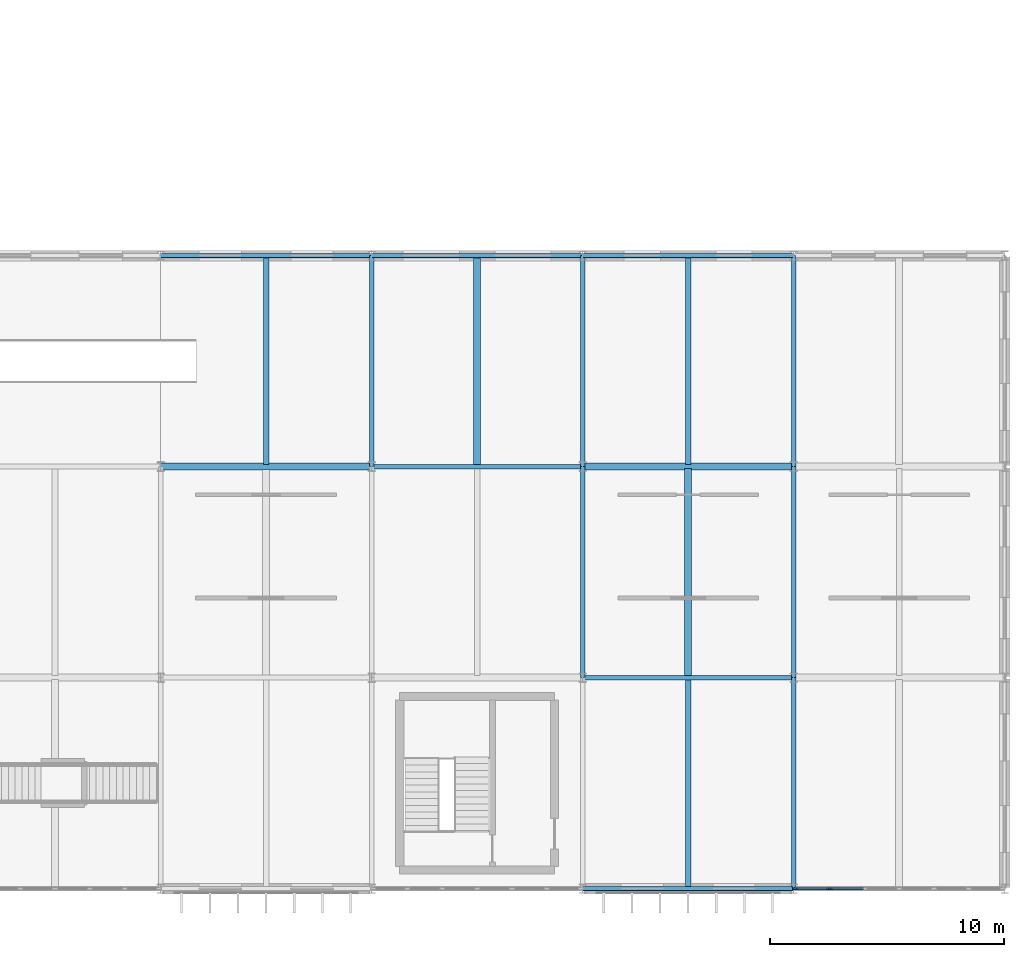
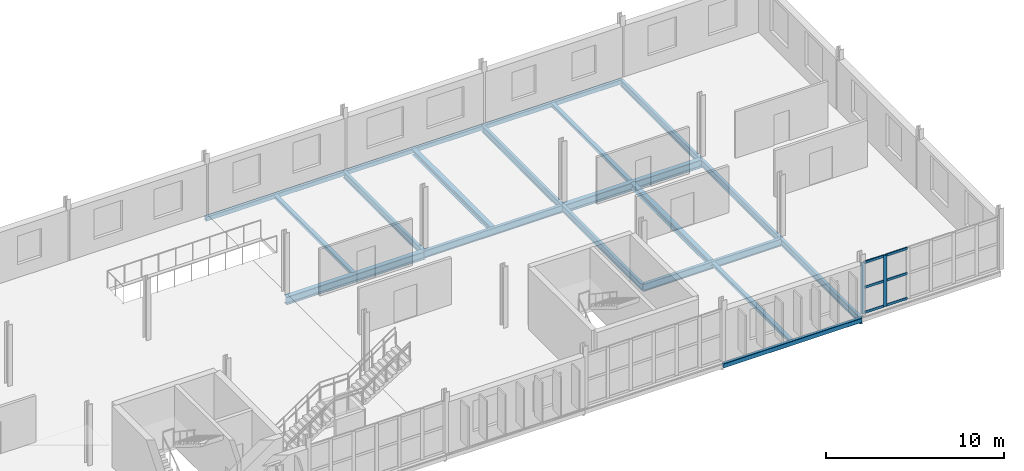
# One storey, part 72 of 161: 19 beams, 8 members, 1 element without a shape of its own.
"""IFC4 building model written with IfcOpenShell, lengths in metres."""

from ifc_helpers import new_model, si_unit, direction, frame, origin, origin_2d, place, context, subcontext, project, spatial, rectangle, hollow_rectangle, i_section, extrude, material, material_profile, profile_set, type_object, element, aggregate, save


model = new_model("IFC4")

# Units and contexts
model_context = context("Model", 3, precision=1e-05, world=origin(), true_north=direction((0.0, 1.0)))
body_context = subcontext(model_context, "Body", "Model", "MODEL_VIEW")
ifc_project = project(units=[si_unit("LENGTHUNIT", "METRE"), si_unit("AREAUNIT", "SQUARE_METRE"), si_unit("VOLUMEUNIT", "CUBIC_METRE"), si_unit("PLANEANGLEUNIT", "RADIAN"), si_unit("MASSUNIT", "GRAM", prefix="KILO")], contexts=[model_context])

# Site, building, storey
site_placement = place(None, origin())
site = spatial("IfcSite", under=ifc_project, at=site_placement, CompositionType="ELEMENT")
building_placement = place(site_placement, origin())
building = spatial("IfcBuilding", under=site, at=building_placement, Name="Kildeholm Park Wholesale Market", CompositionType="ELEMENT")
storey_placement = place(building_placement, frame((0.0, 0.0, 5.39990234375)))
storey = spatial("IfcBuildingStorey", under=building, at=storey_placement, Name="L01", CompositionType="ELEMENT", Elevation=5.39990234375)

# Beams
ifc_material_1 = material(Name="Steel S355", Category="steel")
ifc_material_profile_1 = material_profile(ifc_material_1, i_section(OverallWidth=0.18994140625, OverallDepth=0.449951171875, WebThickness=0.009521484375, FlangeThickness=0.0146484375, FilletRadius=0.02099609375, at=origin_2d()), Name="IPE 450")
ifc_profile_set_1 = profile_set([ifc_material_profile_1], Name="Steel S355")
beam_type_1 = type_object("IfcBeamType", Name="Beam B-P02 IPE 450", PredefinedType="BEAM", material=ifc_profile_set_1)
for number, where, z_axis, x_axis, name in (
    (1, (171.0, 18.0, -0.46484375), (0.0, 1.0, 0.0), (-1.0, 0.0, 0.0), "Beam BM-V5E-L01-Y-171-018 BM-1575"),
    (2, (180.0, 9.0, -0.46484375), (0.0, 1.0, 0.0), (-1.0, 0.0, 0.0), "Beam BM-V5E-L01-Y-180-009 BM-1582"),
    (3, (180.0, 18.0, -0.46484375), (0.0, 1.0, 0.0), (-1.0, 0.0, 0.0), "Beam BM-V5E-L01-Y-180-018 BM-1585"),
    (4, (189.0, 0.0, -0.46484375), (0.0, 1.0, 0.0), (-1.0, 0.0, 0.0), "Beam BM-V5E-L01-Y-189-000 BM-1589"),
    (5, (189.0, 9.0, -0.46484375), (0.0, 1.0, 0.0), (-1.0, 0.0, 0.0), "Beam BM-V5E-L01-Y-189-009 BM-1592"),
    (6, (189.0, 18.0, -0.46484375), (0.0, 1.0, 0.0), (-1.0, 0.0, 0.0), "Beam BM-V5E-L01-Y-189-018 BM-1595"),
):
    element("IfcBeam", number, at=place(storey_placement, frame(where, z_axis=z_axis, x_axis=x_axis)), inside=storey, type_object=beam_type_1, Name=name, PredefinedType="BEAM", context=body_context, shape_type="SweptSolid", body=[
        extrude(i_section(OverallWidth=0.18994140625, OverallDepth=0.449951171875, WebThickness=0.009521484375, FlangeThickness=0.0146484375, FilletRadius=0.02099609375, at=origin_2d()), origin(), (0.0, 0.0, 1.0), 9.0),
    ])
ifc_material_profile_2 = material_profile(ifc_material_1, i_section(OverallWidth=0.199951171875, OverallDepth=0.5, WebThickness=0.01025390625, FlangeThickness=0.01611328125, FilletRadius=0.02099609375, at=origin_2d()), Name="IPE 500")
ifc_profile_set_2 = profile_set([ifc_material_profile_2], Name="Steel S355")
beam_type_2 = type_object("IfcBeamType", Name="Beam B-P03 IPE 500", PredefinedType="BEAM", material=ifc_profile_set_2)
for number, where, z_axis, x_axis, name in (
    (7, (171.0, 18.0, -0.489990234375), (1.0, 0.0, 0.0), (0.0, 1.0, 0.0), "Beam BM-V5E-L01-X-171-018 BM-1574"),
    (8, (180.0, 9.0, -0.489990234375), (1.0, 0.0, 0.0), (0.0, 1.0, 0.0), "Beam BM-V5E-L01-X-180-009 BM-1581"),
):
    element("IfcBeam", number, at=place(storey_placement, frame(where, z_axis=z_axis, x_axis=x_axis)), inside=storey, type_object=beam_type_2, Name=name, PredefinedType="BEAM", context=body_context, shape_type="SweptSolid", body=[
        extrude(i_section(OverallWidth=0.199951171875, OverallDepth=0.5, WebThickness=0.01025390625, FlangeThickness=0.01611328125, FilletRadius=0.02099609375, at=origin_2d()), origin(), (0.0, 0.0, 1.0), 9.0),
    ])
ifc_material_profile_3 = material_profile(ifc_material_1, i_section(OverallWidth=0.300048828125, OverallDepth=0.5400390625, WebThickness=0.012451171875, FlangeThickness=0.02392578125, FilletRadius=0.027099609375, at=origin_2d()), Name="HEA 550")
ifc_profile_set_3 = profile_set([ifc_material_profile_3], Name="Steel S355")
beam_type_3 = type_object("IfcBeamType", Name="Beam B-X02 HEA 550", PredefinedType="BEAM", material=ifc_profile_set_3)
beam_1_placement = place(storey_placement, frame((162.0, 18.0, -0.510009765625), z_axis=(1.0, 0.0, 0.0), x_axis=(0.0, 1.0, 0.0)))
element("IfcBeam", 9, at=beam_1_placement, inside=storey, type_object=beam_type_3, Name="Beam BM-V5E-L01-X-162-018 BM-1566", PredefinedType="BEAM", context=body_context, shape_type="SweptSolid", body=[
    extrude(i_section(OverallWidth=0.300048828125, OverallDepth=0.5400390625, WebThickness=0.012451171875, FlangeThickness=0.02392578125, FilletRadius=0.027099609375, at=origin_2d()), origin(), (0.0, 0.0, 1.0), 9.0),
])
ifc_material_profile_4 = material_profile(ifc_material_1, i_section(OverallWidth=0.300048828125, OverallDepth=0.550048828125, WebThickness=0.014892578125, FlangeThickness=0.029052734375, FilletRadius=0.027099609375, at=origin_2d()), Name="HEB 550")
ifc_profile_set_4 = profile_set([ifc_material_profile_4], Name="Steel S355")
beam_type_4 = type_object("IfcBeamType", Name="Beam B-X03 HEB 550", PredefinedType="BEAM", material=ifc_profile_set_4)
beam_2_placement = place(storey_placement, frame((180.0, 18.0, -0.514892578125), z_axis=(1.0, 0.0, 0.0), x_axis=(0.0, 1.0, 0.0)))
element("IfcBeam", 10, at=beam_2_placement, inside=storey, type_object=beam_type_4, Name="Beam BM-V5E-L01-X-180-018 BM-1584", PredefinedType="BEAM", context=body_context, shape_type="SweptSolid", body=[
    extrude(i_section(OverallWidth=0.300048828125, OverallDepth=0.550048828125, WebThickness=0.014892578125, FlangeThickness=0.029052734375, FilletRadius=0.027099609375, at=origin_2d()), origin(), (0.0, 0.0, 1.0), 9.0),
])
ifc_material_profile_5 = material_profile(ifc_material_1, i_section(OverallWidth=0.239990234375, OverallDepth=0.22998046875, WebThickness=0.007568359375, FlangeThickness=0.011962890625, FilletRadius=0.02099609375, at=origin_2d()), Name="HEA 240")
ifc_profile_set_5 = profile_set([ifc_material_profile_5], Name="Steel S355")
beam_type_5 = type_object("IfcBeamType", Name="Beam J-05 HEA 240", PredefinedType="JOIST", material=ifc_profile_set_5)
for number, where, z_axis, x_axis, name in (
    (11, (166.5, 18.0849609375, -0.35498046875), (0.0, 1.0, 0.0), (-1.0, 0.0, 0.0), "Beam JT-V5E-L01-162-018 BM-1567"),
    (12, (184.5, 0.0849609375, -0.35498046875), (0.0, 1.0, 0.0), (-1.0, 0.0, 0.0), "Beam JT-V5E-L01-180-000 BM-1580"),
    (13, (184.5, 18.0849609375, -0.35498046875), (0.0, 1.0, 0.0), (-1.0, 0.0, 0.0), "Beam JT-V5E-L01-180-018 BM-1586"),
):
    element("IfcBeam", number, at=place(storey_placement, frame(where, z_axis=z_axis, x_axis=x_axis)), inside=storey, type_object=beam_type_5, Name=name, PredefinedType="JOIST", context=body_context, shape_type="SweptSolid", body=[
        extrude(i_section(OverallWidth=0.239990234375, OverallDepth=0.22998046875, WebThickness=0.007568359375, FlangeThickness=0.011962890625, FilletRadius=0.02099609375, at=origin_2d()), origin(), (0.0, 0.0, 1.0), 8.830078125),
    ])
ifc_material_profile_6 = material_profile(ifc_material_1, i_section(OverallWidth=0.300048828125, OverallDepth=0.389892578125, WebThickness=0.010986328125, FlangeThickness=0.01904296875, FilletRadius=0.027099609375, at=origin_2d()), Name="HEA 400")
ifc_profile_set_6 = profile_set([ifc_material_profile_6], Name="Steel S355")
beam_type_6 = type_object("IfcBeamType", Name="Beam J-06 HEA 400", PredefinedType="JOIST", material=ifc_profile_set_6)
for number, where, z_axis, x_axis, name in (
    (14, (175.5, 18.0849609375, -0.434814453125), (0.0, 1.0, 0.0), (-1.0, 0.0, 0.0), "Beam JT-V5E-L01-171-018 BM-1576"),
    (15, (184.5, 9.0849609375, -0.434814453125), (0.0, 1.0, 0.0), (-1.0, 0.0, 0.0), "Beam JT-V5E-L01-180-009 BM-1583"),
):
    element("IfcBeam", number, at=place(storey_placement, frame(where, z_axis=z_axis, x_axis=x_axis)), inside=storey, type_object=beam_type_6, Name=name, PredefinedType="JOIST", context=body_context, shape_type="SweptSolid", body=[
        extrude(i_section(OverallWidth=0.300048828125, OverallDepth=0.389892578125, WebThickness=0.010986328125, FlangeThickness=0.01904296875, FilletRadius=0.027099609375, at=origin_2d()), origin(), (0.0, 0.0, 1.0), 8.830078125),
    ])
ifc_material_profile_7 = material_profile(ifc_material_1, hollow_rectangle(XDim=0.199951171875, YDim=0.300048828125, WallThickness=0.012451171875, InnerFilletRadius=0.012451171875, OuterFilletRadius=0.02490234375, at=origin_2d()), Name="RHS 300x200x12.5")
ifc_profile_set_7 = profile_set([ifc_material_profile_7], Name="Steel S355")
beam_type_7 = type_object("IfcBeamType", Name="Beam SP-01 RHS 300x200x12.5", PredefinedType="SPANDREL", material=ifc_profile_set_7)
for number, where, z_axis, x_axis, name in (
    (16, (162.0, 27.0, -0.389892578125), (1.0, 0.0, 0.0), (0.0, 1.0, 0.0), "Beam BM-V5E-L01-X-162-027 BM-1568"),
    (17, (171.0, 27.0, -0.389892578125), (1.0, 0.0, 0.0), (0.0, 1.0, 0.0), "Beam BM-V5E-L01-X-171-027 BM-1577"),
    (18, (180.0, 0.0, -0.389892578125), (1.0, 0.0, 0.0), (0.0, 1.0, 0.0), "Beam BM-V5E-L01-X-180-000 BM-1578"),
    (19, (180.0, 27.0, -0.389892578125), (1.0, 0.0, 0.0), (0.0, 1.0, 0.0), "Beam BM-V5E-L01-X-180-027 BM-1587"),
):
    element("IfcBeam", number, at=place(storey_placement, frame(where, z_axis=z_axis, x_axis=x_axis)), inside=storey, type_object=beam_type_7, Name=name, PredefinedType="SPANDREL", context=body_context, shape_type="SweptSolid", body=[
        extrude(hollow_rectangle(XDim=0.199951171875, YDim=0.300048828125, WallThickness=0.012451171875, InnerFilletRadius=0.012451171875, OuterFilletRadius=0.02490234375, at=origin_2d()), origin(), (0.0, 0.0, 1.0), 9.0),
    ])

# Curtain wall, members
ifc_material_2 = material(Name="Anodised aluminium and low-E double-glazed glass", Category="aluminium")
curtain_wall_type = type_object("IfcCurtainWallType", Name="Park wing thermally broken curtain wall CW-03", PredefinedType="NOTDEFINED", material=ifc_material_2)
curtain_wall_placement = place(storey_placement, origin())
curtain_wall = element("IfcCurtainWall", 20, at=curtain_wall_placement, inside=storey, type_object=curtain_wall_type, Name="Curtain wall CW-V5E-L01-S-08 CW-0154", PredefinedType="NOTDEFINED")
ifc_material_3 = material(Name="Anodised aluminium", Category="aluminium")
ifc_material_profile_8 = material_profile(ifc_material_3, rectangle(XDim=0.074951171875, YDim=0.219970703125, at=origin_2d()), Name="CWM 75x220")
ifc_profile_set_8 = profile_set([ifc_material_profile_8], Name="Anodised aluminium")
member_type_1 = type_object("IfcMemberType", Name="Curtain-wall mullion CWM-2 CWM 75x220", PredefinedType="MULLION", material=ifc_profile_set_8)
member_1_placement = place(storey_placement, frame((189.077392578125, 0.0, 0.0), z_axis=(0.0, 0.0, 1.0), x_axis=(0.0, 1.0, 0.0)))
member_1 = element("IfcMember", 21, at=member_1_placement, type_object=member_type_1, Name="CW-03 mullion 1 MEM-4715", PredefinedType="MULLION", context=body_context, shape_type="SweptSolid", body=[
    extrude(rectangle(XDim=0.074951171875, YDim=0.219970703125, at=origin_2d()), origin(), (0.0, 0.0, 1.0), 3.5),
])
member_2_placement = place(storey_placement, frame((190.526611328125, 0.0, 0.0), z_axis=(0.0, 0.0, 1.0), x_axis=(0.0, 1.0, 0.0)))
member_2 = element("IfcMember", 22, at=member_2_placement, type_object=member_type_1, Name="CW-03 mullion 2 MEM-4716", PredefinedType="MULLION", context=body_context, shape_type="SweptSolid", body=[
    extrude(rectangle(XDim=0.074951171875, YDim=0.219970703125, at=origin_2d()), origin(), (0.0, 0.0, 1.0), 3.5),
])
ifc_material_profile_9 = material_profile(ifc_material_3, rectangle(XDim=0.074951171875, YDim=0.159912109375, at=origin_2d()), Name="CWT 75x160")
ifc_profile_set_9 = profile_set([ifc_material_profile_9], Name="Anodised aluminium")
member_type_2 = type_object("IfcMemberType", Name="Curtain-wall transom CWT-2 CWT 75x160", PredefinedType="USERDEFINED", material=ifc_profile_set_9)
member_3_placement = place(storey_placement, frame((189.114990234375, 0.0, 0.03759765625), z_axis=(1.0, 0.0, 0.0), x_axis=(0.0, 1.0, 0.0)))
member_3 = element("IfcMember", 23, at=member_3_placement, type_object=member_type_2, Name="CW-03 transom 1.1 MEM-4722", ObjectType="TRANSOM", PredefinedType="USERDEFINED", context=body_context, shape_type="SweptSolid", body=[
    extrude(rectangle(XDim=0.074951171875, YDim=0.159912109375, at=origin_2d()), origin(), (0.0, 0.0, 1.0), 1.374267578125),
])
member_4_placement = place(storey_placement, frame((189.114990234375, 0.0, 1.75), z_axis=(1.0, 0.0, 0.0), x_axis=(0.0, 1.0, 0.0)))
member_4 = element("IfcMember", 24, at=member_4_placement, type_object=member_type_2, Name="CW-03 transom 1.2 MEM-4723", ObjectType="TRANSOM", PredefinedType="USERDEFINED", context=body_context, shape_type="SweptSolid", body=[
    extrude(rectangle(XDim=0.074951171875, YDim=0.159912109375, at=origin_2d()), origin(), (0.0, 0.0, 1.0), 1.374267578125),
])
member_5_placement = place(storey_placement, frame((189.114990234375, 0.0, 3.462646484375), z_axis=(1.0, 0.0, 0.0), x_axis=(0.0, 1.0, 0.0)))
member_5 = element("IfcMember", 25, at=member_5_placement, type_object=member_type_2, Name="CW-03 transom 1.3 MEM-4724", ObjectType="TRANSOM", PredefinedType="USERDEFINED", context=body_context, shape_type="SweptSolid", body=[
    extrude(rectangle(XDim=0.074951171875, YDim=0.159912109375, at=origin_2d()), origin(), (0.0, 0.0, 1.0), 1.374267578125),
])
member_6_placement = place(storey_placement, frame((190.564208984375, 0.0, 0.03759765625), z_axis=(1.0, 0.0, 0.0), x_axis=(0.0, 1.0, 0.0)))
member_6 = element("IfcMember", 26, at=member_6_placement, type_object=member_type_2, Name="CW-03 transom 2.1 MEM-4725", ObjectType="TRANSOM", PredefinedType="USERDEFINED", context=body_context, shape_type="SweptSolid", body=[
    extrude(rectangle(XDim=0.074951171875, YDim=0.159912109375, at=origin_2d()), origin(), (0.0, 0.0, 1.0), 1.41162109375),
])
member_7_placement = place(storey_placement, frame((190.564208984375, 0.0, 1.75), z_axis=(1.0, 0.0, 0.0), x_axis=(0.0, 1.0, 0.0)))
member_7 = element("IfcMember", 27, at=member_7_placement, type_object=member_type_2, Name="CW-03 transom 2.2 MEM-4726", ObjectType="TRANSOM", PredefinedType="USERDEFINED", context=body_context, shape_type="SweptSolid", body=[
    extrude(rectangle(XDim=0.074951171875, YDim=0.159912109375, at=origin_2d()), origin(), (0.0, 0.0, 1.0), 1.41162109375),
])
member_8_placement = place(storey_placement, frame((190.564208984375, 0.0, 3.462646484375), z_axis=(1.0, 0.0, 0.0), x_axis=(0.0, 1.0, 0.0)))
member_8 = element("IfcMember", 28, at=member_8_placement, type_object=member_type_2, Name="CW-03 transom 2.3 MEM-4727", ObjectType="TRANSOM", PredefinedType="USERDEFINED", context=body_context, shape_type="SweptSolid", body=[
    extrude(rectangle(XDim=0.074951171875, YDim=0.159912109375, at=origin_2d()), origin(), (0.0, 0.0, 1.0), 1.41162109375),
])
aggregate(curtain_wall, [member_1, member_2, member_3, member_4, member_5, member_6, member_7, member_8])

save(model, "model.ifc")
